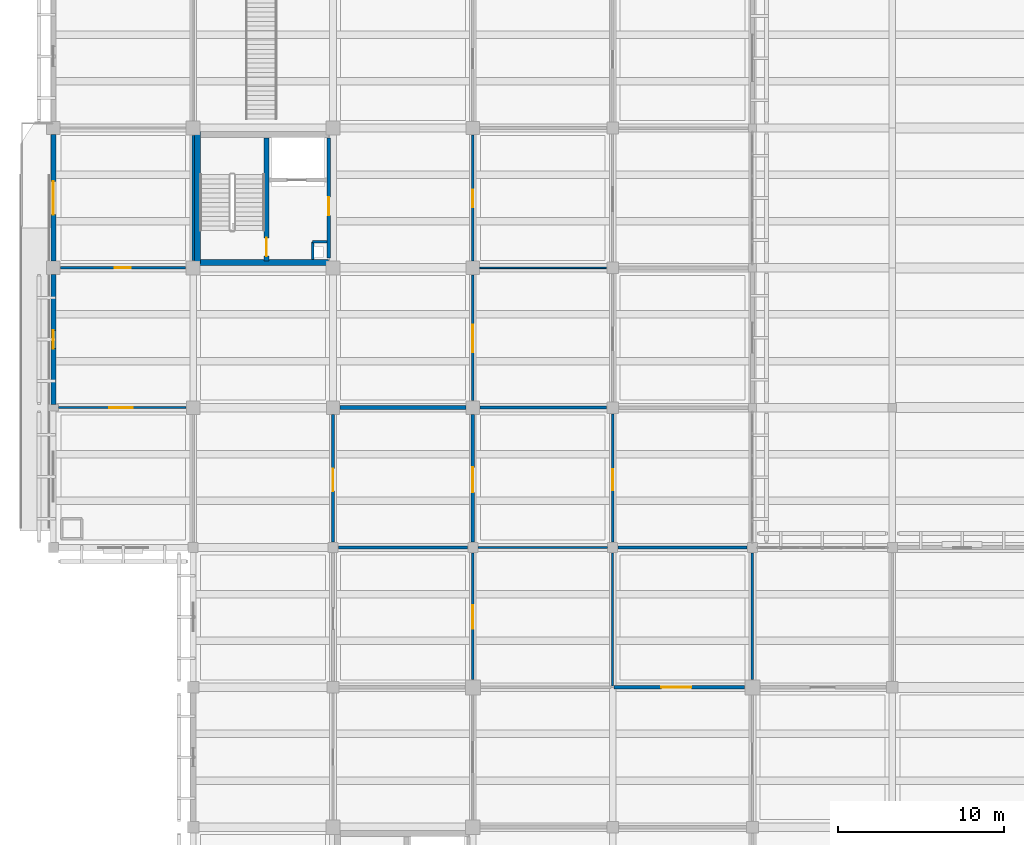
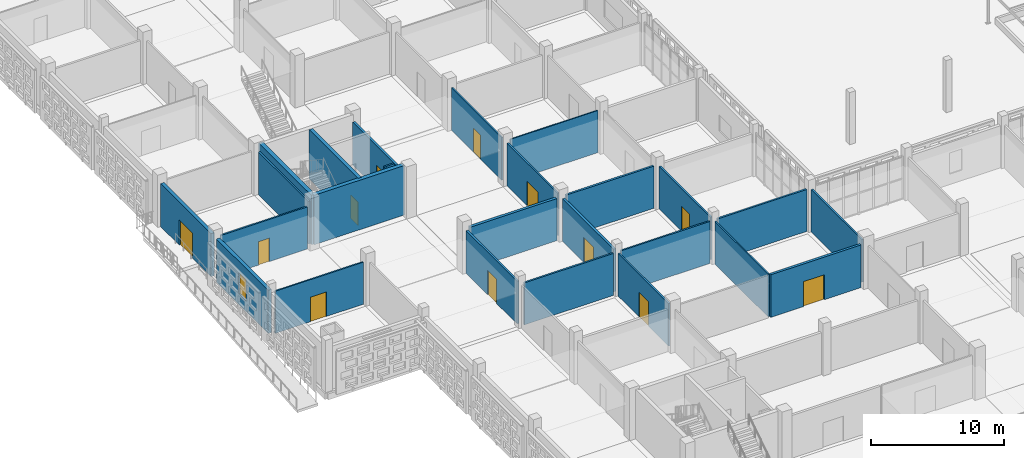
# One storey, part 59 of 129: 26 walls, 12 doors, 1 window, 13 openings.
"""IFC4 building model written with IfcOpenShell, lengths in metres."""

from ifc_helpers import new_model, si_unit, direction, frame, frame_2d, origin, place, context, subcontext, project, spatial, rectangle, extrude, material, layer, layer_set, type_object, element, fill, save


model = new_model("IFC4")

# Units and contexts
model_context = context("Model", 3, precision=1e-05, world=origin(), true_north=direction((0.0, 1.0)))
body_context = subcontext(model_context, "Body", "Model", "MODEL_VIEW")
ifc_project = project(units=[si_unit("LENGTHUNIT", "METRE"), si_unit("AREAUNIT", "SQUARE_METRE"), si_unit("VOLUMEUNIT", "CUBIC_METRE"), si_unit("PLANEANGLEUNIT", "RADIAN"), si_unit("MASSUNIT", "GRAM", prefix="KILO")], contexts=[model_context])

# Site, building, storey
site_placement = place(None, origin())
site = spatial("IfcSite", under=ifc_project, at=site_placement, CompositionType="ELEMENT")
building_placement = place(site_placement, origin())
building = spatial("IfcBuilding", under=site, at=building_placement, Name="Varnapada Polytechnic", CompositionType="ELEMENT")
storey_placement = place(building_placement, origin())
storey = spatial("IfcBuildingStorey", under=building, at=storey_placement, Name="L00", CompositionType="ELEMENT", Elevation=0.0)

# Wall, opening, door
ifc_material_1 = material(Name="Autoclaved Aerated Concrete Block AAC-600", Category="concrete")
ifc_layer_1 = layer(ifc_material_1, 0.199951171875)
ifc_layer_set_1 = layer_set([ifc_layer_1], Name="Autoclaved Aerated Concrete Block AAC-600")
wall_type_1 = type_object("IfcWallType", Name="Interior Wall IW-01", PredefinedType="PARTITIONING", material=ifc_layer_set_1)
wall_1_placement = place(storey_placement, frame((16.5400390625, 66.60009765625, 0.0), z_axis=(0.0, 0.0, 1.0), x_axis=(0.0, -1.0, 0.0)))
wall_1 = element("IfcWall", 1, at=wall_1_placement, inside=storey, type_object=wall_type_1, Name="L00 C2 firefighting lobby east wall", PredefinedType="PARTITIONING", context=body_context, shape_type="SweptSolid", body=[
    extrude(rectangle(XDim=7.2001953125, YDim=0.199951171875, at=frame_2d((3.60009765625, 0.0))), origin(), (0.0, 0.0, 1.0), 3.919921875),
])
opening_1_placement = place(wall_1_placement, frame((3.550048828125, 0.0, 0.0)))
opening_1 = element("IfcOpeningElement", 2, at=opening_1_placement, cuts=wall_1, Name="Opening D-808", PredefinedType="OPENING", context=body_context, shape_type="SweptSolid", body=[
    extrude(rectangle(XDim=1.10009765625, YDim=2.14990234375, at=frame_2d((0.550048828125, 1.074951171875))), frame((0.0, 0.10986328125, 0.0), z_axis=(0.0, -1.0, 0.0), x_axis=(1.0, 0.0, 0.0)), (0.0, 0.0, 1.0), 0.219970703125),
])
ifc_material_2 = material(Name="Galvanized Steel Z275", Category="steel")
door_type_1 = type_object("IfcDoorType", Name="Interior Door ID-01", OperationType="NOTDEFINED", PredefinedType="DOOR", material=ifc_material_2)
door_1_placement = place(opening_1_placement, origin())
door_1 = element("IfcDoor", 3, at=door_1_placement, inside=storey, type_object=door_type_1, Name="L00 C2 lobby fire door D-808", OperationType="SINGLE_SWING_RIGHT", OverallHeight=2.14990234375, OverallWidth=1.10009765625, PredefinedType="DOOR", context=body_context, shape_type="SweptSolid", body=[
    extrude(rectangle(XDim=1.10009765625, YDim=2.14990234375, at=frame_2d((0.550048828125, 1.074951171875))), frame((0.0, 0.02490234375, 0.0), z_axis=(0.0, -1.0, 0.0), x_axis=(1.0, 0.0, 0.0)), (0.0, 0.0, 1.0), 0.050048828125),
])
fill(opening_1, door_1)

# Walls
ifc_layer_2 = layer(ifc_material_1, 0.14990234375)
ifc_layer_set_2 = layer_set([ifc_layer_2], Name="Autoclaved Aerated Concrete Block AAC-600")
wall_type_2 = type_object("IfcWallType", Name="Interior Wall IW-02", PredefinedType="PARTITIONING", material=ifc_layer_set_2)
wall_2_placement = place(storey_placement, frame((15.580078125, 60.360107421875, 0.0), z_axis=(0.0, 0.0, 1.0), x_axis=(0.0, -1.0, 0.0)))
element("IfcWall", 4, at=wall_2_placement, inside=storey, type_object=wall_type_2, Name="L00 C2 riser shaft west wall", PredefinedType="PARTITIONING", context=body_context, shape_type="SweptSolid", body=[
    extrude(rectangle(XDim=1.06005859375, YDim=0.14990234375, at=frame_2d((0.530029296875, 0.0))), origin(), (0.0, 0.0, 1.0), 3.919921875),
])
wall_3_placement = place(storey_placement, frame((15.580078125, 60.360107421875, 0.0), z_axis=(0.0, 0.0, 1.0), x_axis=(1.0, 0.0, 0.0)))
element("IfcWall", 5, at=wall_3_placement, inside=storey, type_object=wall_type_2, Name="L00 C2 riser shaft north wall", PredefinedType="PARTITIONING", context=body_context, shape_type="SweptSolid", body=[
    extrude(rectangle(XDim=0.85986328125, YDim=0.14990234375, at=frame_2d((0.429931640625, 0.0))), origin(), (0.0, 0.0, 1.0), 3.919921875),
])

# Wall, opening, door
wall_4_placement = place(storey_placement, frame((25.199951171875, 50.820068359375, 0.0), z_axis=(0.0, 0.0, 1.0), x_axis=(0.0, 1.0, 0.0)))
wall_4 = element("IfcWall", 6, at=wall_4_placement, inside=storey, type_object=wall_type_2, Name="L00 interior partition IW-L00-02-06-V", PredefinedType="PARTITIONING", context=body_context, shape_type="SweptSolid", body=[
    extrude(rectangle(XDim=7.559814453125, YDim=0.14990234375, at=frame_2d((3.77978515625, 0.0))), origin(), (0.0, 0.0, 1.0), 3.919921875),
])
opening_2_placement = place(wall_4_placement, frame((2.925048828125, 0.0, 0.0)))
opening_2 = element("IfcOpeningElement", 7, at=opening_2_placement, cuts=wall_4, Name="Opening D-839", PredefinedType="OPENING", context=body_context, shape_type="SweptSolid", body=[
    extrude(rectangle(XDim=1.64990234375, YDim=2.25, at=frame_2d((0.824951171875, 1.125))), frame((0.0, 0.0849609375, 0.0), z_axis=(0.0, -1.0, 0.0), x_axis=(1.0, 0.0, 0.0)), (0.0, 0.0, 1.0), 0.169921875),
])
ifc_material_3 = material(Name="Solid Teak Hardwood Timber", Category="wood")
door_type_2 = type_object("IfcDoorType", Name="Interior Door ID-08", OperationType="NOTDEFINED", PredefinedType="DOOR", material=ifc_material_3)
door_2_placement = place(opening_2_placement, frame((1.64990234375, 0.0, 0.0), z_axis=(0.0, 0.0, 1.0), x_axis=(-1.0, 0.0, 0.0)))
door_2 = element("IfcDoor", 8, at=door_2_placement, inside=storey, type_object=door_type_2, Name="L00 interior room door D-839", OperationType="SINGLE_SWING_RIGHT", OverallHeight=2.25, OverallWidth=1.64990234375, PredefinedType="DOOR", context=body_context, shape_type="SweptSolid", body=[
    extrude(rectangle(XDim=1.64990234375, YDim=2.25, at=frame_2d((0.824951171875, 1.125))), frame((0.0, 0.02490234375, 0.0), z_axis=(0.0, -1.0, 0.0), x_axis=(1.0, 0.0, 0.0)), (0.0, 0.0, 1.0), 0.050048828125),
])
fill(opening_2, door_2)

ifc_material_4 = material(Name="Gypsum Plasterboard Acoustic Partition")
ifc_layer_3 = layer(ifc_material_4, 0.125)
ifc_layer_set_3 = layer_set([ifc_layer_3], Name="Gypsum Plasterboard Acoustic Partition")
wall_type_3 = type_object("IfcWallType", Name="Interior Wall IW-03", PredefinedType="PARTITIONING", material=ifc_layer_set_3)
wall_5_placement = place(storey_placement, frame((0.320068359375, 50.39990234375, 0.0), z_axis=(0.0, 0.0, 1.0), x_axis=(1.0, 0.0, 0.0)))
wall_5 = element("IfcWall", 9, at=wall_5_placement, inside=storey, type_object=wall_type_3, Name="L00 interior partition IW-L00-00-05-H", PredefinedType="PARTITIONING", context=body_context, shape_type="SweptSolid", body=[
    extrude(rectangle(XDim=7.659912109375, YDim=0.125, at=frame_2d((3.830078125, 0.0))), origin(), (0.0, 0.0, 1.0), 3.8701171875),
])
opening_3_placement = place(wall_5_placement, frame((3.050048828125, 0.0, 0.0)))
opening_3 = element("IfcOpeningElement", 10, at=opening_3_placement, cuts=wall_5, Name="Opening D-820", PredefinedType="OPENING", context=body_context, shape_type="SweptSolid", body=[
    extrude(rectangle(XDim=1.39990234375, YDim=2.25, at=frame_2d((0.699951171875, 1.125))), frame((0.0, 0.072509765625, 0.0), z_axis=(0.0, -1.0, 0.0), x_axis=(1.0, 0.0, 0.0)), (0.0, 0.0, 1.0), 0.14501953125),
])
ifc_material_5 = material(Name="Powder-Coated Aluminium 6063-T6", Category="aluminium")
door_type_3 = type_object("IfcDoorType", Name="Interior Door ID-06", OperationType="NOTDEFINED", PredefinedType="DOOR", material=ifc_material_5)
door_3_placement = place(opening_3_placement, origin())
door_3 = element("IfcDoor", 11, at=door_3_placement, inside=storey, type_object=door_type_3, Name="L00 interior room door D-820", OperationType="SINGLE_SWING_LEFT", OverallHeight=2.25, OverallWidth=1.39990234375, PredefinedType="DOOR", context=body_context, shape_type="SweptSolid", body=[
    extrude(rectangle(XDim=1.39990234375, YDim=2.25, at=frame_2d((0.699951171875, 1.125))), frame((0.0, 0.02490234375, 0.0), z_axis=(0.0, -1.0, 0.0), x_axis=(1.0, 0.0, 0.0)), (0.0, 0.0, 1.0), 0.050048828125),
])
fill(opening_3, door_3)

wall_6_placement = place(storey_placement, frame((25.199951171875, 59.219970703125, 0.0), z_axis=(0.0, 0.0, 1.0), x_axis=(0.0, 1.0, 0.0)))
wall_6 = element("IfcWall", 12, at=wall_6_placement, inside=storey, type_object=wall_type_3, Name="L00 interior partition IW-L00-02-07-V", PredefinedType="PARTITIONING", context=body_context, shape_type="SweptSolid", body=[
    extrude(rectangle(XDim=7.56005859375, YDim=0.125, at=frame_2d((3.780029296875, 0.0))), origin(), (0.0, 0.0, 1.0), 3.919921875),
])
opening_4_placement = place(wall_6_placement, frame((3.22509765625, 0.0, 0.0)))
opening_4 = element("IfcOpeningElement", 13, at=opening_4_placement, cuts=wall_6, Name="Opening D-840", PredefinedType="OPENING", context=body_context, shape_type="SweptSolid", body=[
    extrude(rectangle(XDim=1.050048828125, YDim=2.199951171875, at=frame_2d((0.52490234375, 1.10009765625))), frame((0.0, 0.072509765625, 0.0), z_axis=(0.0, -1.0, 0.0), x_axis=(1.0, 0.0, 0.0)), (0.0, 0.0, 1.0), 0.14501953125),
])
door_type_4 = type_object("IfcDoorType", Name="Interior Door ID-09", OperationType="NOTDEFINED", PredefinedType="DOOR", material=ifc_material_3)
door_4_placement = place(opening_4_placement, origin())
door_4 = element("IfcDoor", 14, at=door_4_placement, inside=storey, type_object=door_type_4, Name="L00 interior room door D-840", OperationType="SINGLE_SWING_LEFT", OverallHeight=2.199951171875, OverallWidth=1.050048828125, PredefinedType="DOOR", context=body_context, shape_type="SweptSolid", body=[
    extrude(rectangle(XDim=1.050048828125, YDim=2.199951171875, at=frame_2d((0.52490234375, 1.10009765625))), frame((0.0, 0.02490234375, 0.0), z_axis=(0.0, -1.0, 0.0), x_axis=(1.0, 0.0, 0.0)), (0.0, 0.0, 1.0), 0.050048828125),
])
fill(opening_4, door_4)

# Wall
wall_7_placement = place(storey_placement, frame((33.60009765625, 33.68505859375, 0.0), z_axis=(0.0, 0.0, 1.0), x_axis=(0.0, 1.0, 0.0)))
element("IfcWall", 15, at=wall_7_placement, inside=storey, type_object=wall_type_3, Name="L00 interior partition IW-L00-03-04-V", PredefinedType="PARTITIONING", context=body_context, shape_type="SweptSolid", body=[
    extrude(rectangle(XDim=7.994873046875, YDim=0.125, at=frame_2d((3.99755859375, 0.0))), origin(), (0.0, 0.0, 1.0), 3.919921875),
])

# Wall, opening, door
ifc_material_6 = material(Name="Moisture-Resistant Cement Board Partition")
ifc_layer_4 = layer(ifc_material_6, 0.139892578125)
ifc_layer_set_4 = layer_set([ifc_layer_4], Name="Moisture-Resistant Cement Board Partition")
wall_type_4 = type_object("IfcWallType", Name="Interior Wall IW-04", PredefinedType="PARTITIONING", material=ifc_layer_set_4)
wall_8_placement = place(storey_placement, frame((0.419921875, 58.800048828125, 0.0), z_axis=(0.0, 0.0, 1.0), x_axis=(1.0, 0.0, 0.0)))
wall_8 = element("IfcWall", 16, at=wall_8_placement, inside=storey, type_object=wall_type_4, Name="L00 interior partition IW-L00-00-06-H", PredefinedType="PARTITIONING", context=body_context, shape_type="SweptSolid", body=[
    extrude(rectangle(XDim=7.53515625, YDim=0.139892578125, at=frame_2d((3.767578125, 0.0))), origin(), (0.0, 0.0, 1.0), 3.8701171875),
])
opening_5_placement = place(wall_8_placement, frame((3.27490234375, 0.0, 0.0)))
opening_5 = element("IfcOpeningElement", 17, at=opening_5_placement, cuts=wall_8, Name="Opening D-821", PredefinedType="OPENING", context=body_context, shape_type="SweptSolid", body=[
    extrude(rectangle(XDim=0.949951171875, YDim=2.14990234375, at=frame_2d((0.47509765625, 1.074951171875))), frame((0.0, 0.079833984375, 0.0), z_axis=(0.0, -1.0, 0.0), x_axis=(1.0, 0.0, 0.0)), (0.0, 0.0, 1.0), 0.159912109375),
])
ifc_material_7 = material(Name="Moisture-Resistant HPL Timber", Category="wood")
door_type_5 = type_object("IfcDoorType", Name="Interior Door ID-03", OperationType="NOTDEFINED", PredefinedType="DOOR", material=ifc_material_7)
door_5_placement = place(opening_5_placement, frame((0.949951171875, 0.0, 0.0), z_axis=(0.0, 0.0, 1.0), x_axis=(-1.0, 0.0, 0.0)))
door_5 = element("IfcDoor", 18, at=door_5_placement, inside=storey, type_object=door_type_5, Name="L00 interior room door D-821", OperationType="SINGLE_SWING_RIGHT", OverallHeight=2.14990234375, OverallWidth=0.949951171875, PredefinedType="DOOR", context=body_context, shape_type="SweptSolid", body=[
    extrude(rectangle(XDim=0.949951171875, YDim=2.14990234375, at=frame_2d((0.47509765625, 1.074951171875))), frame((0.0, 0.02490234375, 0.0), z_axis=(0.0, -1.0, 0.0), x_axis=(1.0, 0.0, 0.0)), (0.0, 0.0, 1.0), 0.050048828125),
])
fill(opening_5, door_5)

# Walls
wall_9_placement = place(storey_placement, frame((8.39990234375, 59.2451171875, 0.0), z_axis=(0.0, 0.0, 1.0), x_axis=(0.0, 1.0, 0.0)))
element("IfcWall", 19, at=wall_9_placement, inside=storey, type_object=wall_type_4, Name="L00 interior partition IW-L00-00-07-V", PredefinedType="PARTITIONING", context=body_context, shape_type="SweptSolid", body=[
    extrude(rectangle(XDim=7.509765625, YDim=0.139892578125, at=frame_2d((3.7548828125, 0.0))), origin(), (0.0, 0.0, 1.0), 3.919921875),
])
wall_10_placement = place(storey_placement, frame((25.52001953125, 42.0, 0.0), z_axis=(0.0, 0.0, 1.0), x_axis=(1.0, 0.0, 0.0)))
element("IfcWall", 20, at=wall_10_placement, inside=storey, type_object=wall_type_4, Name="L00 interior partition IW-L00-03-04-H", PredefinedType="PARTITIONING", context=body_context, shape_type="SweptSolid", body=[
    extrude(rectangle(XDim=7.760009765625, YDim=0.139892578125, at=frame_2d((3.8798828125, 0.0))), origin(), (0.0, 0.0, 1.0), 3.860107421875),
])

# Wall, opening, door
ifc_material_8 = material(Name="Cross-laminated timber CLT C24", Category="wood")
ifc_layer_5 = layer(ifc_material_8, 0.159912109375)
ifc_layer_set_5 = layer_set([ifc_layer_5], Name="Cross-laminated timber CLT C24")
wall_type_5 = type_object("IfcWallType", Name="Interior Wall IW-05", PredefinedType="PARTITIONING", material=ifc_layer_set_5)
wall_11_placement = place(storey_placement, frame((33.60009765625, 42.320068359375, 0.0), z_axis=(0.0, 0.0, 1.0), x_axis=(0.0, 1.0, 0.0)))
wall_11 = element("IfcWall", 21, at=wall_11_placement, inside=storey, type_object=wall_type_5, Name="L00 interior partition IW-L00-03-05-V", PredefinedType="PARTITIONING", context=body_context, shape_type="SweptSolid", body=[
    extrude(rectangle(XDim=7.7099609375, YDim=0.159912109375, at=frame_2d((3.85498046875, 0.0))), origin(), (0.0, 0.0, 1.0), 3.919921875),
])
opening_6_placement = place(wall_11_placement, frame((3.125, 0.0, 0.0)))
opening_6 = element("IfcOpeningElement", 22, at=opening_6_placement, cuts=wall_11, Name="Opening D-847", PredefinedType="OPENING", context=body_context, shape_type="SweptSolid", body=[
    extrude(rectangle(XDim=1.25, YDim=2.300048828125, at=frame_2d((0.625, 1.14990234375))), frame((0.0, 0.08984375, 0.0), z_axis=(0.0, -1.0, 0.0), x_axis=(1.0, 0.0, 0.0)), (0.0, 0.0, 1.0), 0.179931640625),
])
door_type_6 = type_object("IfcDoorType", Name="Interior Door ID-16", OperationType="NOTDEFINED", PredefinedType="DOOR", material=ifc_material_3)
door_6_placement = place(opening_6_placement, origin())
door_6 = element("IfcDoor", 23, at=door_6_placement, inside=storey, type_object=door_type_6, Name="L00 interior room door D-847", OperationType="SINGLE_SWING_RIGHT", OverallHeight=2.300048828125, OverallWidth=1.25, PredefinedType="DOOR", context=body_context, shape_type="SweptSolid", body=[
    extrude(rectangle(XDim=1.25, YDim=2.300048828125, at=frame_2d((0.625, 1.14990234375))), frame((0.0, 0.02490234375, 0.0), z_axis=(0.0, -1.0, 0.0), x_axis=(1.0, 0.0, 0.0)), (0.0, 0.0, 1.0), 0.050048828125),
])
fill(opening_6, door_6)

ifc_material_9 = material(Name="Acoustic Double-Stud Studio Partition")
ifc_layer_6 = layer(ifc_material_9, 0.179931640625)
ifc_layer_set_6 = layer_set([ifc_layer_6], Name="Acoustic Double-Stud Studio Partition")
wall_type_6 = type_object("IfcWallType", Name="Interior Wall IW-06", PredefinedType="PARTITIONING", material=ifc_layer_set_6)
wall_12_placement = place(storey_placement, frame((16.800048828125, 42.320068359375, 0.0), z_axis=(0.0, 0.0, 1.0), x_axis=(0.0, 1.0, 0.0)))
wall_12 = element("IfcWall", 24, at=wall_12_placement, inside=storey, type_object=wall_type_6, Name="L00 interior partition IW-L00-01-05-V", PredefinedType="PARTITIONING", context=body_context, shape_type="SweptSolid", body=[
    extrude(rectangle(XDim=7.659912109375, YDim=0.179931640625, at=frame_2d((3.830078125, 0.0))), origin(), (0.0, 0.0, 1.0), 3.919921875),
])
opening_7_placement = place(wall_12_placement, frame((3.074951171875, 0.0, 0.0)))
opening_7 = element("IfcOpeningElement", 25, at=opening_7_placement, cuts=wall_12, Name="Opening D-831", PredefinedType="OPENING", context=body_context, shape_type="SweptSolid", body=[
    extrude(rectangle(XDim=1.35009765625, YDim=2.25, at=frame_2d((0.675048828125, 1.125))), frame((0.0, 0.099853515625, 0.0), z_axis=(0.0, -1.0, 0.0), x_axis=(1.0, 0.0, 0.0)), (0.0, 0.0, 1.0), 0.199951171875),
])
door_type_7 = type_object("IfcDoorType", Name="Interior Door ID-17", OperationType="NOTDEFINED", PredefinedType="DOOR", material=ifc_material_5)
door_7_placement = place(opening_7_placement, origin())
door_7 = element("IfcDoor", 26, at=door_7_placement, inside=storey, type_object=door_type_7, Name="L00 interior room door D-831", OperationType="SINGLE_SWING_RIGHT", OverallHeight=2.25, OverallWidth=1.35009765625, PredefinedType="DOOR", context=body_context, shape_type="SweptSolid", body=[
    extrude(rectangle(XDim=1.35009765625, YDim=2.25, at=frame_2d((0.675048828125, 1.125))), frame((0.0, 0.02490234375, 0.0), z_axis=(0.0, -1.0, 0.0), x_axis=(1.0, 0.0, 0.0)), (0.0, 0.0, 1.0), 0.050048828125),
])
fill(opening_7, door_7)

# Walls
wall_13_placement = place(storey_placement, frame((25.6201171875, 50.39990234375, 0.0), z_axis=(0.0, 0.0, 1.0), x_axis=(1.0, 0.0, 0.0)))
element("IfcWall", 27, at=wall_13_placement, inside=storey, type_object=wall_type_6, Name="L00 interior partition IW-L00-03-05-H", PredefinedType="PARTITIONING", context=body_context, shape_type="SweptSolid", body=[
    extrude(rectangle(XDim=7.60986328125, YDim=0.179931640625, at=frame_2d((3.804931640625, 0.0))), origin(), (0.0, 0.0, 1.0), 3.8701171875),
])
ifc_material_10 = material(Name="Operable Acoustic Seminar Partition")
ifc_layer_7 = layer(ifc_material_10, 0.10009765625)
ifc_layer_set_7 = layer_set([ifc_layer_7], Name="Operable Acoustic Seminar Partition")
wall_type_7 = type_object("IfcWallType", Name="Interior Wall IW-08", PredefinedType="MOVABLE", material=ifc_layer_set_7)
wall_14_placement = place(storey_placement, frame((25.6201171875, 58.800048828125, 0.0), z_axis=(0.0, 0.0, 1.0), x_axis=(1.0, 0.0, 0.0)))
element("IfcWall", 28, at=wall_14_placement, inside=storey, type_object=wall_type_7, Name="L00 interior partition IW-L00-03-06-H", PredefinedType="MOVABLE", context=body_context, shape_type="SweptSolid", body=[
    extrude(rectangle(XDim=7.60986328125, YDim=0.10009765625, at=frame_2d((3.804931640625, 0.0))), origin(), (0.0, 0.0, 1.0), 3.8701171875),
])

# Wall, opening, door
ifc_material_11 = material(Name="Heavy Acoustic Auditorium Baffle Wall")
ifc_layer_8 = layer(ifc_material_11, 0.219970703125)
ifc_layer_set_8 = layer_set([ifc_layer_8], Name="Heavy Acoustic Auditorium Baffle Wall")
wall_type_8 = type_object("IfcWallType", Name="Interior Wall IW-13", PredefinedType="PARTITIONING", material=ifc_layer_set_8)
wall_15_placement = place(storey_placement, frame((33.68505859375, 33.60009765625, 0.0), z_axis=(0.0, 0.0, 1.0), x_axis=(1.0, 0.0, 0.0)))
wall_15 = element("IfcWall", 29, at=wall_15_placement, inside=storey, type_object=wall_type_8, Name="L00 interior partition IW-L00-04-03-H", PredefinedType="PARTITIONING", context=body_context, shape_type="SweptSolid", body=[
    extrude(rectangle(XDim=7.844970703125, YDim=0.219970703125, at=frame_2d((3.92236328125, 0.0))), origin(), (0.0, 0.0, 1.0), 3.919921875),
])
opening_8_placement = place(wall_15_placement, frame((2.85009765625, 0.0, 0.0)))
opening_8 = element("IfcOpeningElement", 30, at=opening_8_placement, cuts=wall_15, Name="Opening D-859", PredefinedType="OPENING", context=body_context, shape_type="SweptSolid", body=[
    extrude(rectangle(XDim=1.800048828125, YDim=2.300048828125, at=frame_2d((0.89990234375, 1.14990234375))), frame((0.0, 0.119873046875, 0.0), z_axis=(0.0, -1.0, 0.0), x_axis=(1.0, 0.0, 0.0)), (0.0, 0.0, 1.0), 0.239990234375),
])
ifc_material_12 = material(Name="Acoustic Double Timber Leaf", Category="wood")
door_type_8 = type_object("IfcDoorType", Name="Interior Door ID-04", OperationType="NOTDEFINED", PredefinedType="DOOR", material=ifc_material_12)
door_8_placement = place(opening_8_placement, origin())
door_8 = element("IfcDoor", 31, at=door_8_placement, inside=storey, type_object=door_type_8, Name="L00 interior room door D-859", OperationType="SINGLE_SWING_RIGHT", OverallHeight=2.300048828125, OverallWidth=1.800048828125, PredefinedType="DOOR", context=body_context, shape_type="SweptSolid", body=[
    extrude(rectangle(XDim=1.800048828125, YDim=2.300048828125, at=frame_2d((0.89990234375, 1.14990234375))), frame((0.0, 0.02490234375, 0.0), z_axis=(0.0, -1.0, 0.0), x_axis=(1.0, 0.0, 0.0)), (0.0, 0.0, 1.0), 0.050048828125),
])
fill(opening_8, door_8)

ifc_material_13 = material(Name="Ceramic-Tiled Wet Laboratory Wall")
ifc_layer_9 = layer(ifc_material_13, 0.14501953125)
ifc_layer_set_9 = layer_set([ifc_layer_9], Name="Ceramic-Tiled Wet Laboratory Wall")
wall_type_9 = type_object("IfcWallType", Name="Interior Wall IW-14", PredefinedType="PARTITIONING", material=ifc_layer_set_9)
wall_16_placement = place(storey_placement, frame((25.199951171875, 34.070068359375, 0.0), z_axis=(0.0, 0.0, 1.0), x_axis=(0.0, 1.0, 0.0)))
wall_16 = element("IfcWall", 32, at=wall_16_placement, inside=storey, type_object=wall_type_9, Name="L00 interior partition IW-L00-02-04-V", PredefinedType="PARTITIONING", context=body_context, shape_type="SweptSolid", body=[
    extrude(rectangle(XDim=7.60986328125, YDim=0.14501953125, at=frame_2d((3.804931640625, 0.0))), origin(), (0.0, 0.0, 1.0), 3.919921875),
])
opening_9_placement = place(wall_16_placement, frame((3.050048828125, 0.0, 0.0)))
opening_9 = element("IfcOpeningElement", 33, at=opening_9_placement, cuts=wall_16, Name="Opening D-837", PredefinedType="OPENING", context=body_context, shape_type="SweptSolid", body=[
    extrude(rectangle(XDim=1.39990234375, YDim=2.25, at=frame_2d((0.699951171875, 1.125))), frame((0.0, 0.08251953125, 0.0), z_axis=(0.0, -1.0, 0.0), x_axis=(1.0, 0.0, 0.0)), (0.0, 0.0, 1.0), 0.1650390625),
])
door_9_placement = place(opening_9_placement, origin())
door_9 = element("IfcDoor", 34, at=door_9_placement, inside=storey, type_object=door_type_3, Name="L00 interior room door D-837", OperationType="SINGLE_SWING_RIGHT", OverallHeight=2.25, OverallWidth=1.39990234375, PredefinedType="DOOR", context=body_context, shape_type="SweptSolid", body=[
    extrude(rectangle(XDim=1.39990234375, YDim=2.25, at=frame_2d((0.699951171875, 1.125))), frame((0.0, 0.02490234375, 0.0), z_axis=(0.0, -1.0, 0.0), x_axis=(1.0, 0.0, 0.0)), (0.0, 0.0, 1.0), 0.050048828125),
])
fill(opening_9, door_9)

# Walls
wall_17_placement = place(storey_placement, frame((42.0, 34.070068359375, 0.0), z_axis=(0.0, 0.0, 1.0), x_axis=(0.0, 1.0, 0.0)))
element("IfcWall", 35, at=wall_17_placement, inside=storey, type_object=wall_type_9, Name="L00 interior partition IW-L00-04-04-V", PredefinedType="PARTITIONING", context=body_context, shape_type="SweptSolid", body=[
    extrude(rectangle(XDim=7.60986328125, YDim=0.14501953125, at=frame_2d((3.804931640625, 0.0))), origin(), (0.0, 0.0, 1.0), 3.919921875),
])
ifc_material_14 = material(Name="Perforated Timber-Lined Seminar Wall", Category="wood")
ifc_layer_10 = layer(ifc_material_14, 0.155029296875)
ifc_layer_set_10 = layer_set([ifc_layer_10], Name="Perforated Timber-Lined Seminar Wall")
wall_type_10 = type_object("IfcWallType", Name="Interior Wall IW-15", PredefinedType="PARTITIONING", material=ifc_layer_set_10)
wall_18_placement = place(storey_placement, frame((17.1201171875, 42.0, 0.0), z_axis=(0.0, 0.0, 1.0), x_axis=(1.0, 0.0, 0.0)))
element("IfcWall", 36, at=wall_18_placement, inside=storey, type_object=wall_type_10, Name="L00 interior partition IW-L00-02-04-H", PredefinedType="PARTITIONING", context=body_context, shape_type="SweptSolid", body=[
    extrude(rectangle(XDim=7.759765625, YDim=0.155029296875, at=frame_2d((3.8798828125, 0.0))), origin(), (0.0, 0.0, 1.0), 3.860107421875),
])
wall_19_placement = place(storey_placement, frame((33.919921875, 42.0, 0.0), z_axis=(0.0, 0.0, 1.0), x_axis=(1.0, 0.0, 0.0)))
element("IfcWall", 37, at=wall_19_placement, inside=storey, type_object=wall_type_10, Name="L00 interior partition IW-L00-04-04-H", PredefinedType="PARTITIONING", context=body_context, shape_type="SweptSolid", body=[
    extrude(rectangle(XDim=7.760009765625, YDim=0.155029296875, at=frame_2d((3.8798828125, 0.0))), origin(), (0.0, 0.0, 1.0), 3.860107421875),
])

# Wall, opening, door
ifc_material_15 = material(Name="Heavy Masonry Workshop Partition", Category="masonry")
ifc_layer_11 = layer(ifc_material_15, 0.2099609375)
ifc_layer_set_11 = layer_set([ifc_layer_11], Name="Heavy Masonry Workshop Partition")
wall_type_11 = type_object("IfcWallType", Name="Interior Wall IW-16", PredefinedType="PARTITIONING", material=ifc_layer_set_11)
wall_20_placement = place(storey_placement, frame((25.199951171875, 42.320068359375, 0.0), z_axis=(0.0, 0.0, 1.0), x_axis=(0.0, 1.0, 0.0)))
wall_20 = element("IfcWall", 38, at=wall_20_placement, inside=storey, type_object=wall_type_11, Name="L00 interior partition IW-L00-02-05-V", PredefinedType="PARTITIONING", context=body_context, shape_type="SweptSolid", body=[
    extrude(rectangle(XDim=7.659912109375, YDim=0.2099609375, at=frame_2d((3.830078125, 0.0))), origin(), (0.0, 0.0, 1.0), 3.919921875),
])
opening_10_placement = place(wall_20_placement, frame((3.0, 0.0, 0.0)))
opening_10 = element("IfcOpeningElement", 39, at=opening_10_placement, cuts=wall_20, Name="Opening D-838", PredefinedType="OPENING", context=body_context, shape_type="SweptSolid", body=[
    extrude(rectangle(XDim=1.5, YDim=2.300048828125, at=frame_2d((0.75, 1.14990234375))), frame((0.0, 0.114990234375, 0.0), z_axis=(0.0, -1.0, 0.0), x_axis=(1.0, 0.0, 0.0)), (0.0, 0.0, 1.0), 0.22998046875),
])
door_type_9 = type_object("IfcDoorType", Name="Interior Door ID-07", OperationType="NOTDEFINED", PredefinedType="DOOR", material=ifc_material_2)
door_10_placement = place(opening_10_placement, origin())
door_10 = element("IfcDoor", 40, at=door_10_placement, inside=storey, type_object=door_type_9, Name="L00 interior room door D-838", OperationType="SINGLE_SWING_LEFT", OverallHeight=2.300048828125, OverallWidth=1.5, PredefinedType="DOOR", context=body_context, shape_type="SweptSolid", body=[
    extrude(rectangle(XDim=1.5, YDim=2.300048828125, at=frame_2d((0.75, 1.14990234375))), frame((0.0, 0.02490234375, 0.0), z_axis=(0.0, -1.0, 0.0), x_axis=(1.0, 0.0, 0.0)), (0.0, 0.0, 1.0), 0.050048828125),
])
fill(opening_10, door_10)

# Walls
ifc_material_16 = material(Name="Double-Leaf Acoustic Lecture Wall")
ifc_layer_12 = layer(ifc_material_16, 0.235107421875)
ifc_layer_set_12 = layer_set([ifc_layer_12], Name="Double-Leaf Acoustic Lecture Wall")
wall_type_12 = type_object("IfcWallType", Name="Interior Wall IW-17", PredefinedType="PARTITIONING", material=ifc_layer_set_12)
wall_21_placement = place(storey_placement, frame((17.219970703125, 50.39990234375, 0.0), z_axis=(0.0, 0.0, 1.0), x_axis=(1.0, 0.0, 0.0)))
element("IfcWall", 41, at=wall_21_placement, inside=storey, type_object=wall_type_12, Name="L00 interior partition IW-L00-02-05-H", PredefinedType="PARTITIONING", context=body_context, shape_type="SweptSolid", body=[
    extrude(rectangle(XDim=7.56005859375, YDim=0.235107421875, at=frame_2d((3.780029296875, 0.0))), origin(), (0.0, 0.0, 1.0), 3.8701171875),
])
ifc_material_17 = material(Name="Concrete C40/50", Category="concrete")
ifc_layer_13 = layer(ifc_material_17, 0.35009765625)
ifc_layer_set_13 = layer_set([ifc_layer_13], Name="Concrete C40/50")
wall_type_13 = type_object("IfcWallType", Name="Interior Wall SW-01", PredefinedType="SHEAR", material=ifc_layer_set_13)
wall_22_placement = place(storey_placement, frame((8.6650390625, 59.050048828125, 0.0), z_axis=(0.0, 0.0, 1.0), x_axis=(0.0, 1.0, 0.0)))
element("IfcWall", 42, at=wall_22_placement, inside=storey, type_object=wall_type_13, Name="L00 C2 stair west shear wall", PredefinedType="SHEAR", context=body_context, shape_type="SweptSolid", body=[
    extrude(rectangle(XDim=7.93994140625, YDim=0.35009765625, at=frame_2d((3.969970703125, 0.0))), origin(), (0.0, 0.0, 1.0), 4.550048828125),
])
wall_23_placement = place(storey_placement, frame((16.5400390625, 59.1201171875, 0.0), z_axis=(0.0, 0.0, 1.0), x_axis=(-1.0, 0.0, 0.0)))
element("IfcWall", 43, at=wall_23_placement, inside=storey, type_object=wall_type_13, Name="L00 C2 core south shear wall", PredefinedType="SHEAR", context=body_context, shape_type="SweptSolid", body=[
    extrude(rectangle(XDim=7.875, YDim=0.35009765625, at=frame_2d((3.9375, 0.0))), origin(), (0.0, 0.0, 1.0), 4.550048828125),
])

# Wall, opening, door
ifc_layer_14 = layer(ifc_material_17, 0.300048828125)
ifc_layer_set_14 = layer_set([ifc_layer_14], Name="Concrete C40/50")
wall_type_14 = type_object("IfcWallType", Name="Interior Wall SW-02", PredefinedType="SHEAR", material=ifc_layer_set_14)
wall_24_placement = place(storey_placement, frame((12.81005859375, 59.219970703125, 0.0), z_axis=(0.0, 0.0, 1.0), x_axis=(0.0, 1.0, 0.0)))
wall_24 = element("IfcWall", 44, at=wall_24_placement, inside=storey, type_object=wall_type_14, Name="L00 C2 stair-lobby dividing shear wall", PredefinedType="SHEAR", context=body_context, shape_type="SweptSolid", body=[
    extrude(rectangle(XDim=7.380126953125, YDim=0.300048828125, at=frame_2d((3.68994140625, 0.0))), origin(), (0.0, 0.0, 1.0), 4.550048828125),
])
opening_11_placement = place(wall_24_placement, frame((0.280029296875, 0.0, 0.0)))
opening_11 = element("IfcOpeningElement", 45, at=opening_11_placement, cuts=wall_24, Name="Opening D-809", PredefinedType="OPENING", context=body_context, shape_type="SweptSolid", body=[
    extrude(rectangle(XDim=1.10009765625, YDim=2.14990234375, at=frame_2d((0.550048828125, 1.074951171875))), frame((0.0, 0.159912109375, 0.0), z_axis=(0.0, -1.0, 0.0), x_axis=(1.0, 0.0, 0.0)), (0.0, 0.0, 1.0), 0.320068359375),
])
door_11_placement = place(opening_11_placement, frame((1.10009765625, 0.0, 0.0), z_axis=(0.0, 0.0, 1.0), x_axis=(-1.0, 0.0, 0.0)))
door_11 = element("IfcDoor", 46, at=door_11_placement, inside=storey, type_object=door_type_1, Name="L00 C2 exit stair door D-809", OperationType="SINGLE_SWING_RIGHT", OverallHeight=2.14990234375, OverallWidth=1.10009765625, PredefinedType="DOOR", context=body_context, shape_type="SweptSolid", body=[
    extrude(rectangle(XDim=1.10009765625, YDim=2.14990234375, at=frame_2d((0.550048828125, 1.074951171875))), frame((0.0, 0.02490234375, 0.0), z_axis=(0.0, -1.0, 0.0), x_axis=(1.0, 0.0, 0.0)), (0.0, 0.0, 1.0), 0.050048828125),
])
fill(opening_11, door_11)

# Wall, opening, window
ifc_material_18 = material(Name="Precast concrete C40/50", Category="concrete")
ifc_layer_15 = layer(ifc_material_18, 0.300048828125)
ifc_layer_set_15 = layer_set([ifc_layer_15], Name="Precast concrete C40/50")
wall_type_15 = type_object("IfcWallType", Name="Wall EW-01", PredefinedType="SOLIDWALL", material=ifc_layer_set_15)
wall_25_placement = place(storey_placement, frame((0.0, 50.60009765625, 0.0), z_axis=(0.0, 0.0, 1.0), x_axis=(0.0, 1.0, 0.0)))
wall_25 = element("IfcWall", 47, at=wall_25_placement, inside=storey, type_object=wall_type_15, Name="L00 exterior wall EW-01 (3)", PredefinedType="SOLIDWALL", context=body_context, shape_type="SweptSolid", body=[
    extrude(rectangle(XDim=7.7998046875, YDim=0.300048828125, at=frame_2d((3.89990234375, 0.0))), origin(), (0.0, 0.0, 1.0), 3.9599609375),
])
opening_12_placement = place(wall_25_placement, frame((3.35009765625, 0.0, 0.949951171875)))
opening_12 = element("IfcOpeningElement", 48, at=opening_12_placement, cuts=wall_25, Name="Opening WN-15", PredefinedType="OPENING", context=body_context, shape_type="SweptSolid", body=[
    extrude(rectangle(XDim=1.10009765625, YDim=1.949951171875, at=frame_2d((0.550048828125, 0.97509765625))), frame((0.0, 0.159912109375, 0.0), z_axis=(0.0, -1.0, 0.0), x_axis=(1.0, 0.0, 0.0)), (0.0, 0.0, 1.0), 0.320068359375),
])
ifc_material_19 = material(Name="Double low-E laminated glass", Category="glass")
window_type = type_object("IfcWindowType", Name="Window WN-15", PartitioningType="SINGLE_PANEL", PredefinedType="WINDOW", material=ifc_material_19)
window_placement = place(opening_12_placement, origin())
window = element("IfcWindow", 49, at=window_placement, inside=storey, type_object=window_type, Name="L00 window WN-15 (3)", OverallHeight=1.949951171875, OverallWidth=1.10009765625, PartitioningType="SINGLE_PANEL", PredefinedType="WINDOW", context=body_context, shape_type="SweptSolid", body=[
    extrude(rectangle(XDim=1.10009765625, YDim=1.949951171875, at=frame_2d((0.550048828125, 0.97509765625))), frame((0.0, 0.030029296875, 0.0), z_axis=(0.0, -1.0, 0.0), x_axis=(1.0, 0.0, 0.0)), (0.0, 0.0, 1.0), 0.06005859375),
])
fill(opening_12, window)

# Wall, opening, door
wall_26_placement = place(storey_placement, frame((0.0, 59.199951171875, 0.0), z_axis=(0.0, 0.0, 1.0), x_axis=(0.0, 1.0, 0.0)))
wall_26 = element("IfcWall", 50, at=wall_26_placement, inside=storey, type_object=wall_type_15, Name="L00 exterior wall EW-01 (4)", PredefinedType="SOLIDWALL", context=body_context, shape_type="SweptSolid", body=[
    extrude(rectangle(XDim=7.60009765625, YDim=0.300048828125, at=frame_2d((3.800048828125, 0.0))), origin(), (0.0, 0.0, 1.0), 3.9599609375),
])
opening_13_placement = place(wall_26_placement, frame((2.800048828125, 0.0, 0.0)))
opening_13 = element("IfcOpeningElement", 51, at=opening_13_placement, cuts=wall_26, Name="Opening D-001", PredefinedType="OPENING", context=body_context, shape_type="SweptSolid", body=[
    extrude(rectangle(XDim=2.0, YDim=2.300048828125, at=frame_2d((1.0, 1.14990234375))), frame((0.0, 0.159912109375, 0.0), z_axis=(0.0, -1.0, 0.0), x_axis=(1.0, 0.0, 0.0)), (0.0, 0.0, 1.0), 0.320068359375),
])
ifc_material_20 = material(Name="Anodised aluminium and laminated glass", Category="aluminium")
door_type_10 = type_object("IfcDoorType", Name="Exterior Door ED-01", OperationType="DOUBLE_DOOR_SINGLE_SWING", PredefinedType="DOOR", material=ifc_material_20)
door_12_placement = place(opening_13_placement, origin())
door_12 = element("IfcDoor", 52, at=door_12_placement, inside=storey, type_object=door_type_10, Name="L00 final pedestrian exit door D-001", OperationType="DOUBLE_DOOR_SINGLE_SWING", OverallHeight=2.300048828125, OverallWidth=2.0, PredefinedType="DOOR", context=body_context, shape_type="SweptSolid", body=[
    extrude(rectangle(XDim=2.0, YDim=2.300048828125, at=frame_2d((1.0, 1.14990234375))), frame((0.0, 0.02490234375, 0.0), z_axis=(0.0, -1.0, 0.0), x_axis=(1.0, 0.0, 0.0)), (0.0, 0.0, 1.0), 0.050048828125),
])
fill(opening_13, door_12)

save(model, "model.ifc")
